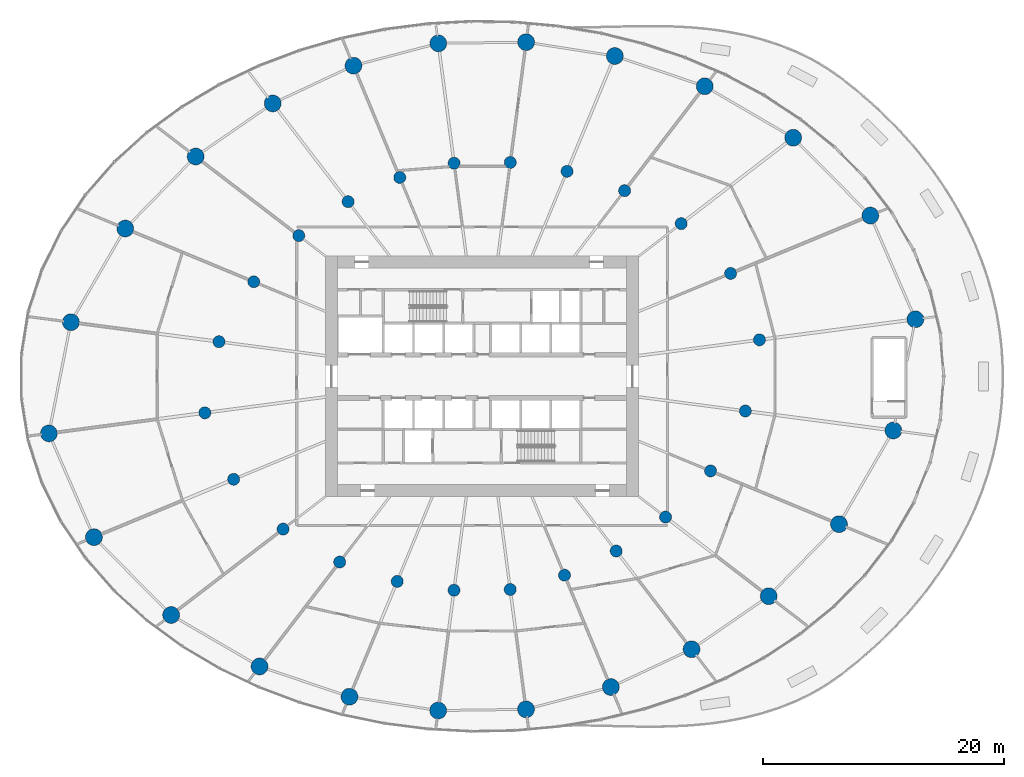
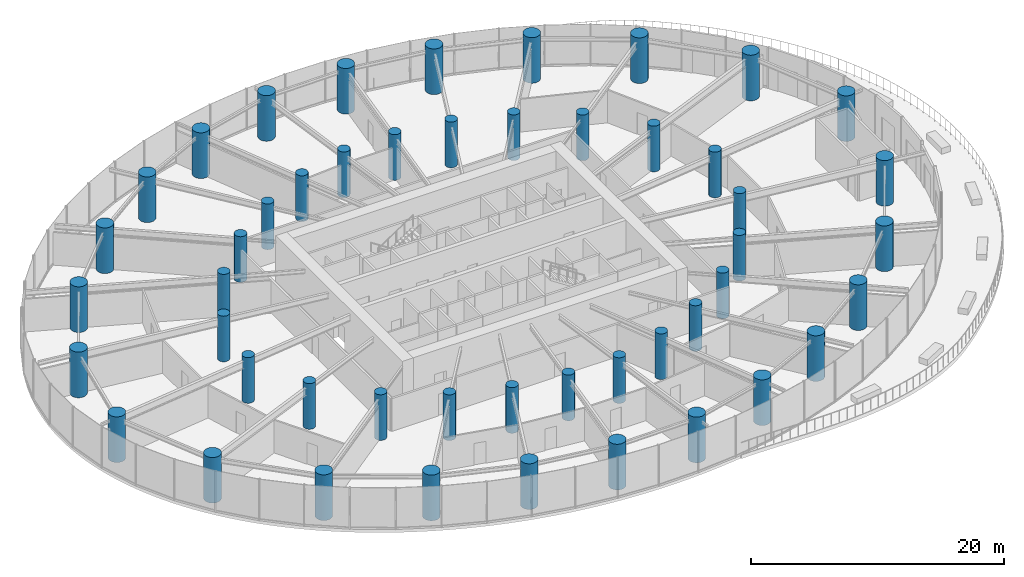
# One storey, part 1 of 21: 48 columns.
"""IFC4 building model written with IfcOpenShell, lengths in metres."""

import ifcopenshell
import ifcopenshell.guid

model = None  # the IFC model being written
_history = None  # IfcOwnerHistory: only IFC2X3 demands one
_inside = {}  # id of a spatial element -> (the spatial element, [elements in it])
_under = {}  # id of a project, library or spatial element -> (it, [spatial elements below it])
_declared = {}  # id of a project -> (the project, [libraries it declares])
_typed = {}  # id of a type object -> (the type object, [elements of that type])
_made_of = {}  # id of a material, layer set ... -> (it, [elements and type objects made of it])


def new_model(schema):
    """Start an empty IFC model of exactly this schema.

    Asked for "IFC4X3", IfcOpenShell would pick the latest addendum, in which some entities
    have other attributes; the version numbers below select the first issue.
    IFC2X3 requires an IfcOwnerHistory on every rooted entity: one is made here for all.
    """
    global model, _history
    if schema == "IFC4X3":
        model = ifcopenshell.file(schema_version=(4, 3, 0, 0))
    else:
        model = ifcopenshell.file(schema=schema)
    _inside.clear()
    _under.clear()
    _declared.clear()
    _typed.clear()
    _made_of.clear()
    _history = None
    if model.schema == "IFC2X3":
        org = make("IfcOrganization", Name="unknown")
        user = make(
            "IfcPersonAndOrganization",
            ThePerson=make("IfcPerson", FamilyName="unknown"),
            TheOrganization=org,
        )
        app = make(
            "IfcApplication",
            ApplicationDeveloper=org,
            Version="unknown",
            ApplicationFullName="unknown",
            ApplicationIdentifier="unknown",
        )
        _history = make(
            "IfcOwnerHistory",
            OwningUser=user,
            OwningApplication=app,
            ChangeAction="ADDED",
            CreationDate=0,
        )
    return model


def make(cls, **values):
    """One entity of the class cls with the attributes given. An attribute that is None is left unset."""
    return model.create_entity(
        cls, **{name: value for name, value in values.items() if value is not None}
    )


def rooted(cls, **values):
    """An entity with a GlobalId (a new one), such as an element, a storey or a relation."""
    return make(cls, GlobalId=ifcopenshell.guid.new(), OwnerHistory=_history, **values)


def si_unit(unit_type, name, prefix=None):
    """IfcSIUnit, for example si_unit("LENGTHUNIT", "METRE", prefix="MILLI")."""
    return make("IfcSIUnit", UnitType=unit_type, Prefix=prefix, Name=name)


def assignment(units):
    """IfcUnitAssignment: the units of a project."""
    return None if units is None else make("IfcUnitAssignment", Units=units)


def point(xyz):
    """IfcCartesianPoint."""
    return None if xyz is None else make("IfcCartesianPoint", Coordinates=xyz)


def direction(xyz):
    """IfcDirection."""
    return None if xyz is None else make("IfcDirection", DirectionRatios=xyz)


def frame(location, z_axis=None, x_axis=None):
    """IfcAxis2Placement3D, a coordinate frame: its origin and axes. An axis left out is left unset."""
    return make(
        "IfcAxis2Placement3D",
        Location=point(location),
        Axis=direction(z_axis),
        RefDirection=direction(x_axis),
    )


def frame_2d(location, x_axis=None):
    """IfcAxis2Placement2D, a coordinate frame in the plane: its origin and x axis."""
    return make(
        "IfcAxis2Placement2D", Location=point(location), RefDirection=direction(x_axis)
    )


def origin():
    """The frame at (0, 0, 0) with its axes left unset."""
    return frame((0.0, 0.0, 0.0))


def origin_2d():
    """The frame at (0, 0) in the plane with its x axis left unset."""
    return frame_2d((0.0, 0.0))


def place(relative_to, where):
    """IfcLocalPlacement: puts the frame where relative to a parent placement (None: the world)."""
    return make(
        "IfcLocalPlacement", PlacementRelTo=relative_to, RelativePlacement=where
    )


def context(
    kind, dimensions, precision=None, world=None, true_north=None, identifier=None
):
    """IfcGeometricRepresentationContext, for example the 3D "Model" context."""
    return make(
        "IfcGeometricRepresentationContext",
        ContextIdentifier=identifier,
        ContextType=kind,
        CoordinateSpaceDimension=dimensions,
        Precision=precision,
        WorldCoordinateSystem=world,
        TrueNorth=true_north,
    )


def subcontext(parent, identifier, kind, view, scale=None):
    """IfcGeometricRepresentationSubContext, for example "Body" below "Model"."""
    return make(
        "IfcGeometricRepresentationSubContext",
        ContextIdentifier=identifier,
        ContextType=kind,
        ParentContext=parent,
        TargetScale=scale,
        TargetView=view,
    )


def project(units=None, contexts=None):
    """IfcProject with its units and contexts."""
    return rooted(
        "IfcProject",
        Name="project",
        RepresentationContexts=contexts,
        UnitsInContext=assignment(units),
    )


def spatial(cls, under=None, at=None, **own):
    """A site, building, storey or space (cls), placed at a placement, below another one or the project."""
    s = rooted(cls, ObjectPlacement=at, **own)
    if under is not None:
        _under.setdefault(under.id(), (under, []))[1].append(s)
    return s


def profile(cls, at=None, kind="AREA", **sizes):
    """A parametric profile (cls). Its sizes go by their IFC names, for example OverallWidth=200.0."""
    return make(cls, ProfileType=kind, Position=at, **sizes)


def circle(**sizes):
    """IfcCircleProfileDef."""
    return profile("IfcCircleProfileDef", **sizes)


def extrude(swept, where, along, depth):
    """IfcExtrudedAreaSolid: the profile swept, set in the frame where, extruded along a direction by depth."""
    return make(
        "IfcExtrudedAreaSolid",
        SweptArea=swept,
        Position=where,
        ExtrudedDirection=direction(along),
        Depth=depth,
    )


def shape(context_of_items, identifier, shape_type, items):
    """IfcShapeRepresentation: the items that make up one representation, for example the "Body"."""
    return make(
        "IfcShapeRepresentation",
        ContextOfItems=context_of_items,
        RepresentationIdentifier=identifier,
        RepresentationType=shape_type,
        Items=items,
    )


def source(mapping_origin, context_of_items, identifier, shape_type, items):
    """IfcRepresentationMap: a shape defined once, which mapped items show again and again."""
    return make(
        "IfcRepresentationMap",
        MappingOrigin=mapping_origin,
        MappedRepresentation=shape(context_of_items, identifier, shape_type, items),
    )


def transform(
    local_origin,
    x_axis=None,
    y_axis=None,
    z_axis=None,
    scale=None,
    scale2=None,
    scale3=None,
    uniform=True,
):
    """IfcCartesianTransformationOperator3D, or its non-uniform kind. x_axis, y_axis, z_axis: its Axis1, 2, 3."""
    if uniform:
        return make(
            "IfcCartesianTransformationOperator3D",
            Axis1=direction(x_axis),
            Axis2=direction(y_axis),
            LocalOrigin=point(local_origin),
            Scale=scale,
            Axis3=direction(z_axis),
        )
    return make(
        "IfcCartesianTransformationOperator3DnonUniform",
        Axis1=direction(x_axis),
        Axis2=direction(y_axis),
        LocalOrigin=point(local_origin),
        Scale=scale,
        Axis3=direction(z_axis),
        Scale2=scale2,
        Scale3=scale3,
    )


def mapped(mapping_source, mapping_target):
    """IfcMappedItem: shows the shape of a source again, moved by a transform."""
    return make(
        "IfcMappedItem", MappingSource=mapping_source, MappingTarget=mapping_target
    )


def material(Name=None, Category=None):
    """IfcMaterial."""
    return make("IfcMaterial", Name=Name, Category=Category)


def material_profile(
    of_material, cross_section, Name=None, Category=None, Priority=None
):
    """IfcMaterialProfile: a cross section and its material."""
    return make(
        "IfcMaterialProfile",
        Name=Name,
        Material=of_material,
        Profile=cross_section,
        Priority=Priority,
        Category=Category,
    )


def profile_set(profiles, Name=None, composite=None):
    """IfcMaterialProfileSet."""
    return make(
        "IfcMaterialProfileSet",
        Name=Name,
        MaterialProfiles=profiles,
        CompositeProfile=composite,
    )


def made_of(thing, what):
    """Note that an element or type object is made of a material, layer set ...; save() writes the relation."""
    if what is not None:
        _made_of.setdefault(what.id(), (what, []))[1].append(thing)
    return thing


def type_object(cls, material=None, **own):
    """A type object (cls), such as IfcWallType, which elements share."""
    return made_of(rooted(cls, **own), material)


def element(
    cls,
    number,
    at=None,
    inside=None,
    cuts=None,
    type_object=None,
    material=None,
    context=None,
    identifier="Body",
    shape_type=None,
    held_by="IfcProductDefinitionShape",
    body=None,
    shapes=None,
    **own,
):
    """One element of the class cls, such as IfcWall. Its Tag is "e" and its number.

    at: its placement. inside: the storey or other place that contains it. cuts: it is an
    opening in that element (IfcRelVoidsElement). A single representation is given by context,
    identifier, shape_type and body (its items); several are given by shapes. held_by: the class
    of the entity that holds the representations. save() writes the other relations.
    """
    e = rooted(cls, Tag="e%d" % number, ObjectPlacement=at, **own)
    if body is not None:
        shapes = [shape(context, identifier, shape_type, body)]
    if shapes is not None:
        e.Representation = make(held_by, Representations=shapes)
    if inside is not None:
        _inside.setdefault(inside.id(), (inside, []))[1].append(e)
    if cuts is not None:
        rooted(
            "IfcRelVoidsElement", RelatingBuildingElement=cuts, RelatedOpeningElement=e
        )
    if type_object is not None:
        _typed.setdefault(type_object.id(), (type_object, []))[1].append(e)
    return made_of(e, material)


def aggregate(whole, parts):
    """IfcRelAggregates: a whole, such as a stair, and the parts it consists of."""
    return rooted("IfcRelAggregates", RelatingObject=whole, RelatedObjects=parts)


def save(model, path):
    """Write the relations noted so far, then the file.

    IfcRelAggregates (storeys below a building ...), IfcRelContainedInSpatialStructure (elements
    in a storey), IfcRelDefinesByType, IfcRelAssociatesMaterial and IfcRelDeclares: one each for
    every whole, place, type object, material and project.
    """
    for whole, parts in _under.values():
        aggregate(whole, parts)
    for where, things in _inside.values():
        rooted(
            "IfcRelContainedInSpatialStructure",
            RelatedElements=things,
            RelatingStructure=where,
        )
    for kind, things in _typed.values():
        rooted("IfcRelDefinesByType", RelatedObjects=things, RelatingType=kind)
    for what, things in _made_of.values():
        rooted("IfcRelAssociatesMaterial", RelatedObjects=things, RelatingMaterial=what)
    for by, libraries in _declared.values():
        rooted("IfcRelDeclares", RelatingContext=by, RelatedDefinitions=libraries)
    model.write(path)


model = new_model("IFC4")

# Units and contexts
model_context = context("Model", 3, precision=1e-05, world=origin(), true_north=direction((0.0, 1.0)))
body_context = subcontext(model_context, "Body", "Model", "MODEL_VIEW")
ifc_project = project(units=[si_unit("LENGTHUNIT", "METRE"), si_unit("AREAUNIT", "SQUARE_METRE"), si_unit("VOLUMEUNIT", "CUBIC_METRE"), si_unit("PLANEANGLEUNIT", "RADIAN"), si_unit("MASSUNIT", "GRAM", prefix="KILO")], contexts=[model_context])

# Site, building, storey
site_placement = place(None, origin())
site = spatial("IfcSite", under=ifc_project, at=site_placement, CompositionType="ELEMENT")
building_placement = place(site_placement, origin())
building = spatial("IfcBuilding", under=site, at=building_placement, Name="Spindrift Exchange Tower", CompositionType="ELEMENT")
storey_placement = place(building_placement, frame((0.0, 0.0, 18.199951171875)))
storey = spatial("IfcBuildingStorey", under=building, at=storey_placement, Name="L04", CompositionType="ELEMENT", Elevation=18.199951171875)

# Columns
ifc_material = material(Name="Concrete 80 MPa", Category="concrete")
ifc_material_profile_1 = material_profile(ifc_material, circle(Radius=0.699951171875, at=origin_2d()), Name="RC D1400")
ifc_profile_set_1 = profile_set([ifc_material_profile_1], Name="Concrete 80 MPa")
column_type_1 = type_object("IfcColumnType", Name="RC Perimeter Column D1400 Concrete 80 MPa", PredefinedType="COLUMN", material=ifc_profile_set_1)
shared_shape_1 = source(origin(), body_context, "Body", "SweptSolid", [
    extrude(circle(Radius=0.699951171875, at=origin_2d()), origin(), (0.0, 0.0, 1.0), 4.400146484375),
])
for number, where, z_axis, x_axis, name in (
    (1, (87.990478515625, 52.73828125, 0.0), (0.0, 0.0, 1.0), (1.0, 0.0, 0.0), "Perimeter column P1-01 L04"),
    (2, (84.248779296875, 61.35791015625, 0.0), (0.0, 0.0, 1.0), (1.0, 0.0, 0.0), "Perimeter column P1-02 L04"),
    (3, (77.835693359375, 67.82421875, 0.0), (0.0, 0.0, 1.0), (1.0, 0.0, 0.0), "Perimeter column P1-03 L04"),
    (4, (70.4921875, 72.099609375, 0.0), (0.0, 0.0, 1.0), (1.0, 0.0, 0.0), "Perimeter column P1-04 L04"),
    (5, (63.022705078125, 74.611328125, 0.0), (0.0, 0.0, 1.0), (1.0, 0.0, 0.0), "Perimeter column P1-05 L04"),
    (6, (55.65478515625, 75.761474609375, 0.0), (0.0, 0.0, 1.0), (1.0, 0.0, 0.0), "Perimeter column P1-06 L04"),
    (7, (48.3583984375, 75.661376953125, 0.0), (0.0, 0.0, 1.0), (1.0, 0.0, 0.0), "Perimeter column P1-07 L04"),
    (8, (41.309814453125, 73.80859375, 0.0), (0.0, 0.0, 1.0), (1.0, 0.0, 0.0), "Perimeter column P1-08 L04"),
    (9, (34.603515625, 70.671630859375, 0.0), (0.0, 0.0, 1.0), (1.0, 0.0, 0.0), "Perimeter column P1-09 L04"),
    (10, (28.199462890625, 66.2626953125, 0.0), (0.0, 0.0, 1.0), (1.0, 0.0, 0.0), "Perimeter column P1-10 L04"),
    (11, (22.35546875, 60.279296875, 0.0), (0.0, 0.0, 1.0), (1.0, 0.0, 0.0), "Perimeter column P1-11 L04"),
    (12, (17.8388671875, 52.497314453125, 0.0), (0.0, 0.0, 1.0), (1.0, 0.0, 0.0), "Perimeter column P1-12 L04"),
    (13, (16.009521484375, 43.26171875, 0.0), (0.0, 0.0, 1.0), (1.0, 0.0, 0.0), "Perimeter column P1-13 L04"),
    (14, (19.751220703125, 34.64208984375, 0.0), (0.0, 0.0, 1.0), (1.0, 0.0, 0.0), "Perimeter column P1-14 L04"),
    (15, (26.164306640625, 28.17578125, 0.0), (0.0, 0.0, 1.0), (1.0, 0.0, 0.0), "Perimeter column P1-15 L04"),
    (16, (33.5078125, 23.900390625, 0.0), (0.0, 0.0, 1.0), (1.0, 0.0, 0.0), "Perimeter column P1-16 L04"),
    (17, (40.977294921875, 21.388671875, 0.0), (0.0, 0.0, 1.0), (1.0, 0.0, 0.0), "Perimeter column P1-17 L04"),
    (18, (48.34521484375, 20.238525390625, 0.0), (0.0, 0.0, 1.0), (1.0, 0.0, 0.0), "Perimeter column P1-18 L04"),
    (19, (55.6416015625, 20.338623046875, 0.0), (0.0, 0.0, 1.0), (1.0, 0.0, 0.0), "Perimeter column P1-19 L04"),
    (20, (62.690185546875, 22.19140625, 0.0), (0.0, 0.0, 1.0), (1.0, 0.0, 0.0), "Perimeter column P1-20 L04"),
    (21, (69.396484375, 25.328369140625, 0.0), (0.0, 0.0, 1.0), (1.0, 0.0, 0.0), "Perimeter column P1-21 L04"),
    (22, (75.800537109375, 29.7373046875, 0.0), (0.0, 0.0, 1.0), (1.0, 0.0, 0.0), "Perimeter column P1-22 L04"),
    (23, (81.64453125, 35.720703125, 0.0), (0.0, 0.0, 1.0), (1.0, 0.0, 0.0), "Perimeter column P1-23 L04"),
    (24, (86.1611328125, 43.502685546875, 0.0), (0.0, 0.0, 1.0), (1.0, 0.0, 0.0), "Perimeter column P1-24 L04"),
):
    element("IfcColumn", number, at=place(storey_placement, frame(where, z_axis=z_axis, x_axis=x_axis)), inside=storey, type_object=column_type_1, Name=name, PredefinedType="COLUMN", context=body_context, shape_type="MappedRepresentation", body=[
        mapped(shared_shape_1, transform((0.0, 0.0, 0.0), scale=1.0)),
    ])
ifc_material_profile_2 = material_profile(ifc_material, circle(Radius=0.5, at=origin_2d()), Name="RC D1000")
ifc_profile_set_2 = profile_set([ifc_material_profile_2], Name="Concrete 80 MPa")
column_type_2 = type_object("IfcColumnType", Name="RC Inner Column D1000 Concrete 80 MPa", PredefinedType="COLUMN", material=ifc_profile_set_2)
shared_shape_2 = source(origin(), body_context, "Body", "SweptSolid", [
    extrude(circle(Radius=0.5, at=origin_2d()), origin(), (0.0, 0.0, 1.0), 4.400146484375),
])
for number, where, z_axis, x_axis, name in (
    (25, (75.033935546875, 51.032470703125, 0.0), (0.0, 0.0, 1.0), (1.0, 0.0, 0.0), "Inner column Q1-01 L04"),
    (26, (72.639404296875, 56.549072265625, 0.0), (0.0, 0.0, 1.0), (1.0, 0.0, 0.0), "Inner column Q1-02 L04"),
    (27, (68.534912109375, 60.6875, 0.0), (0.0, 0.0, 1.0), (1.0, 0.0, 0.0), "Inner column Q1-03 L04"),
    (28, (63.835205078125, 63.423828125, 0.0), (0.0, 0.0, 1.0), (1.0, 0.0, 0.0), "Inner column Q1-04 L04"),
    (29, (59.0546875, 65.03125, 0.0), (0.0, 0.0, 1.0), (1.0, 0.0, 0.0), "Inner column Q1-05 L04"),
    (30, (54.339111328125, 65.767333984375, 0.0), (0.0, 0.0, 1.0), (1.0, 0.0, 0.0), "Inner column Q1-06 L04"),
    (31, (49.669189453125, 65.703125, 0.0), (0.0, 0.0, 1.0), (1.0, 0.0, 0.0), "Inner column Q1-07 L04"),
    (32, (45.158203125, 64.517578125, 0.0), (0.0, 0.0, 1.0), (1.0, 0.0, 0.0), "Inner column Q1-08 L04"),
    (33, (40.8662109375, 62.510009765625, 0.0), (0.0, 0.0, 1.0), (1.0, 0.0, 0.0), "Inner column Q1-09 L04"),
    (34, (36.767578125, 59.688232421875, 0.0), (0.0, 0.0, 1.0), (1.0, 0.0, 0.0), "Inner column Q1-10 L04"),
    (35, (33.027587890625, 55.858642578125, 0.0), (0.0, 0.0, 1.0), (1.0, 0.0, 0.0), "Inner column Q1-11 L04"),
    (36, (30.13671875, 50.87841796875, 0.0), (0.0, 0.0, 1.0), (1.0, 0.0, 0.0), "Inner column Q1-12 L04"),
    (37, (28.966064453125, 44.967529296875, 0.0), (0.0, 0.0, 1.0), (1.0, 0.0, 0.0), "Inner column Q1-13 L04"),
    (38, (31.360595703125, 39.450927734375, 0.0), (0.0, 0.0, 1.0), (1.0, 0.0, 0.0), "Inner column Q1-14 L04"),
    (39, (35.465087890625, 35.3125, 0.0), (0.0, 0.0, 1.0), (1.0, 0.0, 0.0), "Inner column Q1-15 L04"),
    (40, (40.164794921875, 32.576171875, 0.0), (0.0, 0.0, 1.0), (1.0, 0.0, 0.0), "Inner column Q1-16 L04"),
    (41, (44.9453125, 30.96875, 0.0), (0.0, 0.0, 1.0), (1.0, 0.0, 0.0), "Inner column Q1-17 L04"),
    (42, (49.660888671875, 30.232666015625, 0.0), (0.0, 0.0, 1.0), (1.0, 0.0, 0.0), "Inner column Q1-18 L04"),
    (43, (54.330810546875, 30.296875, 0.0), (0.0, 0.0, 1.0), (1.0, 0.0, 0.0), "Inner column Q1-19 L04"),
    (44, (58.841796875, 31.482421875, 0.0), (0.0, 0.0, 1.0), (1.0, 0.0, 0.0), "Inner column Q1-20 L04"),
    (45, (63.1337890625, 33.489990234375, 0.0), (0.0, 0.0, 1.0), (1.0, 0.0, 0.0), "Inner column Q1-21 L04"),
    (46, (67.232421875, 36.311767578125, 0.0), (0.0, 0.0, 1.0), (1.0, 0.0, 0.0), "Inner column Q1-22 L04"),
    (47, (70.972412109375, 40.141357421875, 0.0), (0.0, 0.0, 1.0), (1.0, 0.0, 0.0), "Inner column Q1-23 L04"),
    (48, (73.86328125, 45.12158203125, 0.0), (0.0, 0.0, 1.0), (1.0, 0.0, 0.0), "Inner column Q1-24 L04"),
):
    element("IfcColumn", number, at=place(storey_placement, frame(where, z_axis=z_axis, x_axis=x_axis)), inside=storey, type_object=column_type_2, Name=name, PredefinedType="COLUMN", context=body_context, shape_type="MappedRepresentation", body=[
        mapped(shared_shape_2, transform((0.0, 0.0, 0.0), scale=1.0)),
    ])

save(model, "model.ifc")
